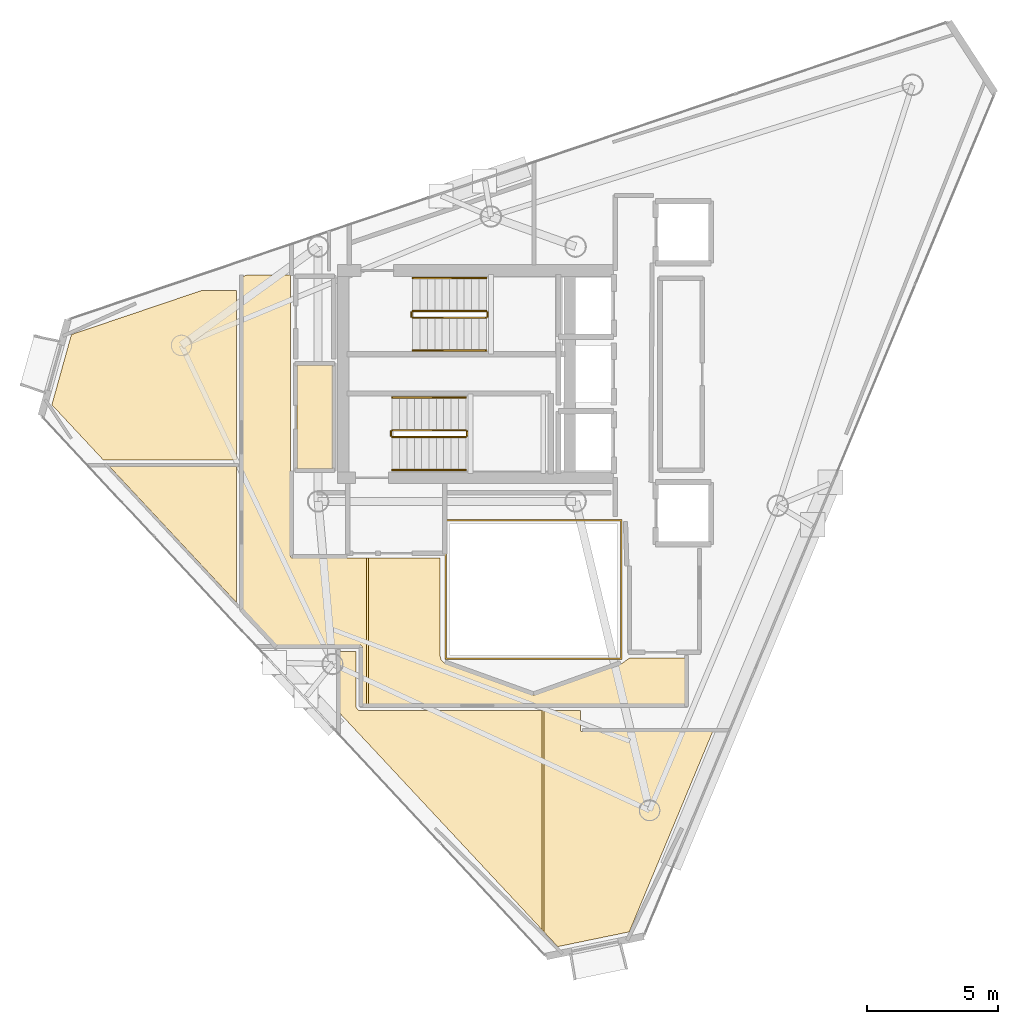
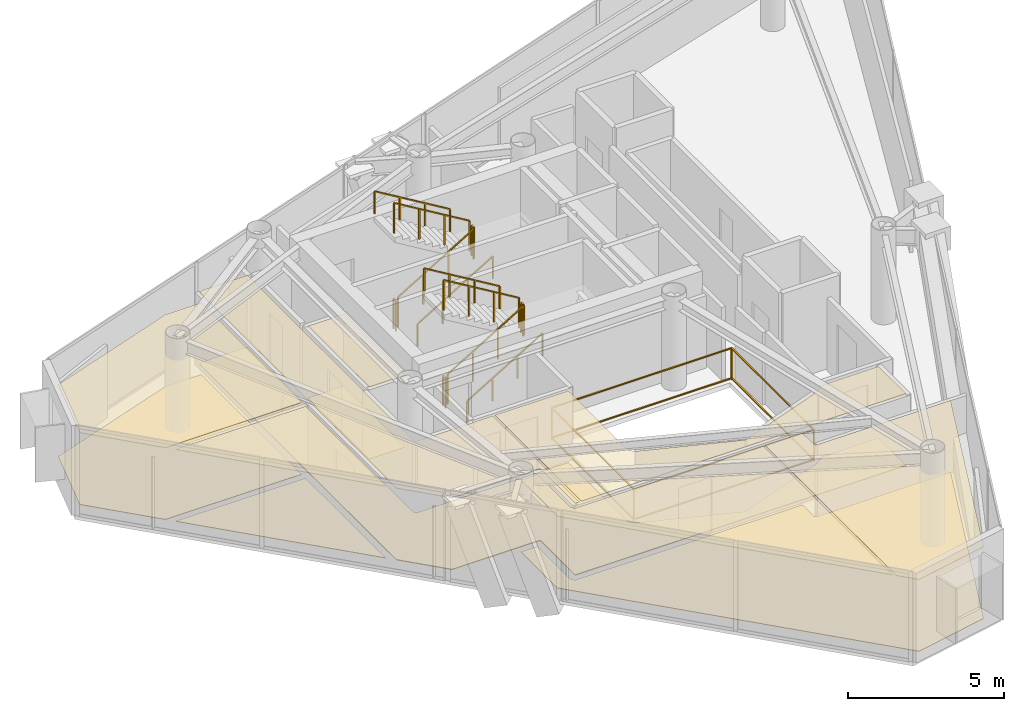
# One storey, part 19 of 19: 13 railings, 12 coverings.
"""IFC4 building model written with IfcOpenShell, lengths in metres."""

from ifc_helpers import new_model, si_unit, direction, frame, origin, origin_2d, place, context, subcontext, project, spatial, polyline, rectangle, outline, extrude, material, layer, layer_set, type_object, element, save


model = new_model("IFC4")

# Units and contexts
model_context = context("Model", 3, precision=1e-05, world=origin(), true_north=direction((0.0, 1.0)))
body_context = subcontext(model_context, "Body", "Model", "MODEL_VIEW")
ifc_project = project(units=[si_unit("LENGTHUNIT", "METRE"), si_unit("AREAUNIT", "SQUARE_METRE"), si_unit("VOLUMEUNIT", "CUBIC_METRE"), si_unit("PLANEANGLEUNIT", "RADIAN"), si_unit("MASSUNIT", "GRAM", prefix="KILO")], contexts=[model_context])

# Site, building, storey
site_placement = place(None, origin())
site = spatial("IfcSite", under=ifc_project, at=site_placement, CompositionType="ELEMENT")
building_placement = place(site_placement, origin())
building = spatial("IfcBuilding", under=site, at=building_placement, Name="Qianvela Tower", CompositionType="ELEMENT")
storey_placement = place(building_placement, frame((0.0, 0.0, 333.300048828125)))
storey = spatial("IfcBuildingStorey", under=building, at=storey_placement, Name="L86", CompositionType="ELEMENT", Elevation=333.300048828125)

# Coverings
ifc_material_1 = material(Name="Perforated Mineral Acoustic Ceiling Tile")
ifc_layer_1 = layer(ifc_material_1, 0.02490234375)
ifc_layer_set_1 = layer_set([ifc_layer_1], Name="Perforated Mineral Acoustic Ceiling Tile")
covering_type_1 = type_object("IfcCoveringType", Name="COV-CEIL-ACOUSTIC-25", PredefinedType="CEILING", material=ifc_layer_set_1)
covering_1_placement = place(storey_placement, frame((0.0, 0.0, 2.81494140625)))
element("IfcCovering", 1, at=covering_1_placement, inside=storey, type_object=covering_type_1, Name="L86 Acoustic Ceiling L86 Core Tea Pantry West", PredefinedType="CEILING", context=body_context, shape_type="SweptSolid", body=[
    extrude(outline(polyline([(27.800048828125, 25.080078125), (27.800048828125, 29.0400390625), (29.139892578125, 29.0400390625), (29.139892578125, 25.080078125), (27.800048828125, 25.080078125)])), origin(), (0.0, 0.0, 1.0), 0.02490234375),
])
covering_2_placement = place(storey_placement, frame((0.0, 0.0, 2.81494140625)))
element("IfcCovering", 2, at=covering_2_placement, inside=storey, type_object=covering_type_1, Name="L86 Acoustic Ceiling Bay 1 L86 Floor Corridor", PredefinedType="CEILING", context=body_context, shape_type="SweptSolid", body=[
    extrude(outline(polyline([(27.5400390625, 21.780029296875), (27.540283203125, 21.772216796875), (27.54150390625, 21.764404296875), (27.54345703125, 21.7568359375), (27.546142578125, 21.74951171875), (27.54931640625, 21.7421875), (27.553466796875, 21.735595703125), (27.55810546875, 21.729248046875), (27.5634765625, 21.723388671875), (27.569091796875, 21.71826171875), (27.57568359375, 21.71337890625), (27.582275390625, 21.70947265625), (27.58935546875, 21.7060546875), (27.5966796875, 21.703369140625), (27.6044921875, 21.701416015625), (27.6123046875, 21.700439453125), (27.6201171875, 21.699951171875), (30.434814453125, 21.699951171875), (30.434814453125, 16.1298828125), (30.280029296875, 16.1298828125), (30.280029296875, 18.300048828125), (30.279541015625, 18.307861328125), (30.278564453125, 18.315673828125), (30.276611328125, 18.3232421875), (30.27392578125, 18.33056640625), (30.2705078125, 18.337646484375), (30.2666015625, 18.344482421875), (30.26171875, 18.350830078125), (30.256591796875, 18.356689453125), (30.250732421875, 18.36181640625), (30.244384765625, 18.366455078125), (30.23779296875, 18.37060546875), (30.230712890625, 18.373779296875), (30.22314453125, 18.376708984375), (30.215576171875, 18.37841796875), (30.207763671875, 18.379638671875), (30.199951171875, 18.3798828125), (27.007080078125, 18.3798828125), (25.72998046875, 19.74755859375), (25.72998046875, 32.40771484375), (25.913818359375, 32.469970703125), (27.5400390625, 32.469970703125), (27.5400390625, 21.780029296875)])), origin(), (0.0, 0.0, 1.0), 0.02490234375),
])
covering_3_placement = place(storey_placement, frame((0.0, 0.0, 2.81494140625)))
element("IfcCovering", 3, at=covering_3_placement, inside=storey, type_object=covering_type_1, Name="L86 Acoustic Ceiling Bay 2 L86 Floor Corridor", PredefinedType="CEILING", context=body_context, shape_type="SweptSolid", body=[
    extrude(outline(polyline([(33.239990234375, 21.699951171875), (33.239990234375, 18.0), (33.240478515625, 17.990234375), (33.242431640625, 17.980712890625), (33.275390625, 17.8486328125), (33.277587890625, 17.841064453125), (33.28076171875, 17.833740234375), (33.284423828125, 17.826904296875), (33.288818359375, 17.8203125), (33.293701171875, 17.814208984375), (33.38525390625, 17.71337890625), (33.390625, 17.7080078125), (33.396728515625, 17.702880859375), (33.4033203125, 17.698486328125), (33.41015625, 17.69482421875), (33.417236328125, 17.69189453125), (36.77294921875, 16.482666015625), (36.780517578125, 16.48046875), (36.7880859375, 16.47900390625), (36.7958984375, 16.47802734375), (36.8037109375, 16.47802734375), (36.811767578125, 16.47900390625), (36.8193359375, 16.48046875), (36.826904296875, 16.482666015625), (40.134033203125, 17.666015625), (40.140869140625, 17.668701171875), (40.1474609375, 17.672119140625), (40.153564453125, 17.676025390625), (40.458740234375, 17.89306640625), (42.570068359375, 17.899658203125), (42.570068359375, 16.1298828125), (30.514892578125, 16.1298828125), (30.514892578125, 21.699951171875), (33.239990234375, 21.699951171875)])), origin(), (0.0, 0.0, 1.0), 0.02490234375),
])
covering_4_placement = place(storey_placement, frame((0.0, 0.0, 2.81494140625)))
element("IfcCovering", 4, at=covering_4_placement, inside=storey, type_object=covering_type_1, Name="L86 Acoustic Ceiling Quiet Reading Study L86-01", PredefinedType="CEILING", context=body_context, shape_type="SweptSolid", body=[
    extrude(outline(polyline([(20.658935546875, 25.177978515625), (25.489990234375, 25.177978515625), (25.489990234375, 20.00439453125), (20.658935546875, 25.177978515625)])), origin(), (0.0, 0.0, 1.0), 0.02490234375),
])
covering_5_placement = place(storey_placement, frame((0.0, 0.0, 2.81494140625)))
element("IfcCovering", 5, at=covering_5_placement, inside=storey, type_object=covering_type_1, Name="L86 Acoustic Ceiling Bay 1 Panoramic Study Lounge L86-02", PredefinedType="CEILING", context=body_context, shape_type="SweptSolid", body=[
    extrude(outline(polyline([(29.422119140625, 15.7939453125), (29.422119140625, 18.139892578125), (30.0400390625, 18.139892578125), (30.0400390625, 16.050048828125), (30.040283203125, 16.042724609375), (30.041259765625, 16.035400390625), (30.04296875, 16.0283203125), (30.04541015625, 16.021484375), (30.048095703125, 16.014892578125), (30.0517578125, 16.00830078125), (30.0556640625, 16.002197265625), (30.112548828125, 15.92578125), (30.117919921875, 15.91943359375), (30.123779296875, 15.91357421875), (30.130126953125, 15.908447265625), (30.13720703125, 15.904052734375), (30.14453125, 15.900146484375), (30.15234375, 15.897216796875), (30.160400390625, 15.895263671875), (30.16845703125, 15.893798828125), (30.1767578125, 15.893310546875), (37.115234375, 15.890625), (37.115234375, 7.555419921875), (29.422119140625, 15.7939453125)])), origin(), (0.0, 0.0, 1.0), 0.02490234375),
])
covering_6_placement = place(storey_placement, frame((0.0, 0.0, 2.81494140625)))
element("IfcCovering", 6, at=covering_6_placement, inside=storey, type_object=covering_type_1, Name="L86 Acoustic Ceiling Bay 2 Panoramic Study Lounge L86-02", PredefinedType="CEILING", context=body_context, shape_type="SweptSolid", body=[
    extrude(outline(polyline([(40.44287109375, 7.466796875), (37.72216796875, 6.905517578125), (37.1953125, 7.4697265625), (37.1953125, 15.890625), (38.577880859375, 15.889892578125), (38.577880859375, 15.169921875), (38.578369140625, 15.162109375), (38.57958984375, 15.154296875), (38.58154296875, 15.146484375), (38.583984375, 15.13916015625), (38.58740234375, 15.132080078125), (38.591552734375, 15.125244140625), (38.59619140625, 15.118896484375), (38.6015625, 15.11328125), (38.607421875, 15.10791015625), (38.613525390625, 15.103271484375), (38.620361328125, 15.09912109375), (38.62744140625, 15.095947265625), (38.635009765625, 15.09326171875), (38.642578125, 15.09130859375), (38.650390625, 15.090087890625), (38.658203125, 15.08984375), (43.6201171875, 15.0966796875), (40.44287109375, 7.466796875)])), origin(), (0.0, 0.0, 1.0), 0.02490234375),
])
covering_7_placement = place(storey_placement, frame((0.0, 0.0, 2.81494140625)))
element("IfcCovering", 7, at=covering_7_placement, inside=storey, type_object=covering_type_1, Name="L86 Acoustic Ceiling Commons Day Lounge L86-04", PredefinedType="CEILING", context=body_context, shape_type="SweptSolid", body=[
    extrude(outline(polyline([(24.16357421875, 31.8779296875), (25.489990234375, 31.8779296875), (25.489990234375, 25.422119140625), (20.43115234375, 25.422119140625), (18.46533203125, 27.527099609375), (19.211181640625, 30.202880859375), (24.16357421875, 31.8779296875)])), origin(), (0.0, 0.0, 1.0), 0.02490234375),
])
ifc_material_2 = material(Name="Engineered Acoustic Oak Timber Flooring", Category="wood")
ifc_layer_2 = layer(ifc_material_2, 0.02001953125)
ifc_layer_set_2 = layer_set([ifc_layer_2], Name="Engineered Acoustic Oak Timber Flooring")
covering_type_2 = type_object("IfcCoveringType", Name="COV-FLOOR-OAK-20", PredefinedType="FLOORING", material=ifc_layer_set_2)
covering_8_placement = place(storey_placement, origin())
element("IfcCovering", 8, at=covering_8_placement, inside=storey, type_object=covering_type_2, Name="L86 Finish Flooring L86 Core Tea Pantry West", PredefinedType="FLOORING", context=body_context, shape_type="SweptSolid", body=[
    extrude(outline(polyline([(27.800048828125, 25.080078125), (27.800048828125, 29.0400390625), (29.139892578125, 29.0400390625), (29.139892578125, 25.080078125), (27.800048828125, 25.080078125)])), origin(), (0.0, 0.0, 1.0), 0.02001953125),
])
covering_9_placement = place(storey_placement, origin())
element("IfcCovering", 9, at=covering_9_placement, inside=storey, type_object=covering_type_2, Name="L86 Finish Flooring Quiet Reading Study L86-01", PredefinedType="FLOORING", context=body_context, shape_type="SweptSolid", body=[
    extrude(outline(polyline([(20.658935546875, 25.177978515625), (25.489990234375, 25.177978515625), (25.489990234375, 20.00439453125), (20.658935546875, 25.177978515625)])), origin(), (0.0, 0.0, 1.0), 0.02001953125),
])
covering_10_placement = place(storey_placement, origin())
element("IfcCovering", 10, at=covering_10_placement, inside=storey, type_object=covering_type_2, Name="L86 Finish Flooring Panoramic Study Lounge L86-02", PredefinedType="FLOORING", context=body_context, shape_type="SweptSolid", body=[
    extrude(outline(polyline([(43.6201171875, 15.0966796875), (40.44287109375, 7.466796875), (37.72216796875, 6.905517578125), (29.422119140625, 15.7939453125), (29.422119140625, 18.139892578125), (30.0400390625, 18.139892578125), (30.0400390625, 16.050048828125), (30.040283203125, 16.042724609375), (30.041259765625, 16.035400390625), (30.04296875, 16.0283203125), (30.04541015625, 16.021484375), (30.048095703125, 16.014892578125), (30.0517578125, 16.00830078125), (30.0556640625, 16.002197265625), (30.112548828125, 15.92578125), (30.117919921875, 15.91943359375), (30.123779296875, 15.91357421875), (30.130126953125, 15.908447265625), (30.13720703125, 15.904052734375), (30.14453125, 15.900146484375), (30.15234375, 15.897216796875), (30.160400390625, 15.895263671875), (30.16845703125, 15.893798828125), (30.1767578125, 15.893310546875), (38.577880859375, 15.889892578125), (38.577880859375, 15.169921875), (38.578369140625, 15.162109375), (38.57958984375, 15.154296875), (38.58154296875, 15.146484375), (38.583984375, 15.13916015625), (38.58740234375, 15.132080078125), (38.591552734375, 15.125244140625), (38.59619140625, 15.118896484375), (38.6015625, 15.11328125), (38.607421875, 15.10791015625), (38.613525390625, 15.103271484375), (38.620361328125, 15.09912109375), (38.62744140625, 15.095947265625), (38.635009765625, 15.09326171875), (38.642578125, 15.09130859375), (38.650390625, 15.090087890625), (38.658203125, 15.08984375), (43.6201171875, 15.0966796875)])), origin(), (0.0, 0.0, 1.0), 0.02001953125),
])
covering_11_placement = place(storey_placement, origin())
element("IfcCovering", 11, at=covering_11_placement, inside=storey, type_object=covering_type_2, Name="L86 Finish Flooring Commons Day Lounge L86-04", PredefinedType="FLOORING", context=body_context, shape_type="SweptSolid", body=[
    extrude(outline(polyline([(24.16357421875, 31.8779296875), (25.489990234375, 31.8779296875), (25.489990234375, 25.422119140625), (20.43115234375, 25.422119140625), (18.46533203125, 27.527099609375), (19.211181640625, 30.202880859375), (24.16357421875, 31.8779296875)])), origin(), (0.0, 0.0, 1.0), 0.02001953125),
])
ifc_material_3 = material(Name="Honed Stone Terrazzo Flooring", Category="masonry")
ifc_layer_3 = layer(ifc_material_3, 0.030029296875)
ifc_layer_set_3 = layer_set([ifc_layer_3], Name="Honed Stone Terrazzo Flooring")
covering_type_3 = type_object("IfcCoveringType", Name="COV-FLOOR-TERRAZZO-30", PredefinedType="FLOORING", material=ifc_layer_set_3)
covering_12_placement = place(storey_placement, origin())
element("IfcCovering", 12, at=covering_12_placement, inside=storey, type_object=covering_type_3, Name="L86 Finish Flooring L86 Floor Corridor", PredefinedType="FLOORING", context=body_context, shape_type="SweptSolid", body=[
    extrude(outline(polyline([(27.5400390625, 32.469970703125), (27.5400390625, 21.780029296875), (27.540283203125, 21.772216796875), (27.54150390625, 21.764404296875), (27.54345703125, 21.7568359375), (27.546142578125, 21.74951171875), (27.54931640625, 21.7421875), (27.553466796875, 21.735595703125), (27.55810546875, 21.729248046875), (27.5634765625, 21.723388671875), (27.569091796875, 21.71826171875), (27.57568359375, 21.71337890625), (27.582275390625, 21.70947265625), (27.58935546875, 21.7060546875), (27.5966796875, 21.703369140625), (27.6044921875, 21.701416015625), (27.6123046875, 21.700439453125), (27.6201171875, 21.699951171875), (33.239990234375, 21.699951171875), (33.239990234375, 18.0), (33.240478515625, 17.990234375), (33.242431640625, 17.980712890625), (33.275390625, 17.8486328125), (33.277587890625, 17.841064453125), (33.28076171875, 17.833740234375), (33.284423828125, 17.826904296875), (33.288818359375, 17.8203125), (33.293701171875, 17.814208984375), (33.38525390625, 17.71337890625), (33.390625, 17.7080078125), (33.396728515625, 17.702880859375), (33.4033203125, 17.698486328125), (33.41015625, 17.69482421875), (33.417236328125, 17.69189453125), (36.77294921875, 16.482666015625), (36.780517578125, 16.48046875), (36.7880859375, 16.47900390625), (36.7958984375, 16.47802734375), (36.8037109375, 16.47802734375), (36.811767578125, 16.47900390625), (36.8193359375, 16.48046875), (36.826904296875, 16.482666015625), (40.134033203125, 17.666015625), (40.140869140625, 17.668701171875), (40.1474609375, 17.672119140625), (40.153564453125, 17.676025390625), (40.458740234375, 17.89306640625), (42.570068359375, 17.899658203125), (42.570068359375, 16.1298828125), (30.280029296875, 16.1298828125), (30.280029296875, 18.300048828125), (30.279541015625, 18.307861328125), (30.278564453125, 18.315673828125), (30.276611328125, 18.3232421875), (30.27392578125, 18.33056640625), (30.2705078125, 18.337646484375), (30.2666015625, 18.344482421875), (30.26171875, 18.350830078125), (30.256591796875, 18.356689453125), (30.250732421875, 18.36181640625), (30.244384765625, 18.366455078125), (30.23779296875, 18.37060546875), (30.230712890625, 18.373779296875), (30.22314453125, 18.376708984375), (30.215576171875, 18.37841796875), (30.207763671875, 18.379638671875), (30.199951171875, 18.3798828125), (27.007080078125, 18.3798828125), (25.72998046875, 19.74755859375), (25.72998046875, 32.40771484375), (25.913818359375, 32.469970703125), (27.5400390625, 32.469970703125)])), origin(), (0.0, 0.0, 1.0), 0.030029296875),
])

# Railings
ifc_material_4 = material(Name="Laminated Safety Glass and Stainless Steel 316", Category="steel")
railing_type_1 = type_object("IfcRailingType", Name="RL-ATRIUM-GUARD-1250", PredefinedType="GUARDRAIL", material=ifc_material_4)
railing_1_placement = place(storey_placement, frame((33.4599609375, 17.860107421875, 0.0)))
element("IfcRailing", 13, at=railing_1_placement, inside=storey, type_object=railing_type_1, Name="L86 Atrium Edge Guardrail 1", PredefinedType="GUARDRAIL", context=body_context, shape_type="SweptSolid", body=[
    extrude(rectangle(XDim=0.050048828125, YDim=0.0400390625, at=origin_2d()), frame((0.0, 0.0, 1.22998046875), z_axis=(0.0, 1.0, 0.0), x_axis=(-1.0, 0.0, 0.0)), (0.0, 0.0, 1.0), 5.27978515625),
    extrude(rectangle(XDim=0.050048828125, YDim=0.0400390625, at=origin_2d()), frame((0.0, 0.0, 0.050048828125), z_axis=(0.0, 1.0, 0.0), x_axis=(-1.0, 0.0, 0.0)), (0.0, 0.0, 1.0), 5.27978515625),
    extrude(rectangle(XDim=0.050048828125, YDim=0.0400390625, at=origin_2d()), frame((0.0, 5.27978515625, 1.22998046875), z_axis=(1.0, 0.0, 0.0), x_axis=(0.0, 1.0, 0.0)), (0.0, 0.0, 1.0), 6.679931640625),
    extrude(rectangle(XDim=0.050048828125, YDim=0.0400390625, at=origin_2d()), frame((0.0, 5.27978515625, 0.050048828125), z_axis=(1.0, 0.0, 0.0), x_axis=(0.0, 1.0, 0.0)), (0.0, 0.0, 1.0), 6.679931640625),
    extrude(rectangle(XDim=0.050048828125, YDim=0.0400390625, at=origin_2d()), frame((6.679931640625, 5.27978515625, 1.22998046875), z_axis=(0.0, -1.0, 0.0), x_axis=(1.0, 0.0, 0.0)), (0.0, 0.0, 1.0), 5.27978515625),
    extrude(rectangle(XDim=0.050048828125, YDim=0.0400390625, at=origin_2d()), frame((6.679931640625, 5.27978515625, 0.050048828125), z_axis=(0.0, -1.0, 0.0), x_axis=(1.0, 0.0, 0.0)), (0.0, 0.0, 1.0), 5.27978515625),
    extrude(rectangle(XDim=0.050048828125, YDim=0.0400390625, at=origin_2d()), frame((6.679931640625, 0.0, 1.22998046875), z_axis=(-1.0, 0.0, 0.0), x_axis=(0.0, -1.0, 0.0)), (0.0, 0.0, 1.0), 6.679931640625),
    extrude(rectangle(XDim=0.050048828125, YDim=0.0400390625, at=origin_2d()), frame((6.679931640625, 0.0, 0.050048828125), z_axis=(-1.0, 0.0, 0.0), x_axis=(0.0, -1.0, 0.0)), (0.0, 0.0, 1.0), 6.679931640625),
    extrude(rectangle(XDim=0.050048828125, YDim=0.050048828125, at=origin_2d()), origin(), (0.0, 0.0, 1.0), 1.2099609375),
    extrude(rectangle(XDim=0.050048828125, YDim=0.050048828125, at=origin_2d()), frame((0.0, 5.27978515625, 0.0)), (0.0, 0.0, 1.0), 1.2099609375),
    extrude(rectangle(XDim=0.050048828125, YDim=0.050048828125, at=origin_2d()), frame((6.679931640625, 5.27978515625, 0.0)), (0.0, 0.0, 1.0), 1.2099609375),
    extrude(rectangle(XDim=0.050048828125, YDim=0.050048828125, at=origin_2d()), frame((6.679931640625, 0.0, 0.0)), (0.0, 0.0, 1.0), 1.2099609375),
])
ifc_material_5 = material(Name="Painted Tubular Steel Q355B", Category="steel")
railing_type_2 = type_object("IfcRailingType", Name="RL-STAIR-GUARD-1200", PredefinedType="GUARDRAIL", material=ifc_material_5)
railing_2_placement = place(storey_placement, frame((32.199951171875, 30.840087890625, 0.168212890625)))
element("IfcRailing", 14, at=railing_2_placement, inside=storey, type_object=railing_type_2, Name="L86 ST-1 stair guard 1", PredefinedType="GUARDRAIL", context=body_context, shape_type="SweptSolid", body=[
    extrude(rectangle(XDim=0.050048828125, YDim=0.0400390625, at=origin_2d()), frame((0.0, 0.0, 1.179931640625), z_axis=(0.857275202839, 0.0, 0.514858452973), x_axis=(0.0, 1.0, 0.0)), (0.0, 0.0, 1.0), 3.26611328125),
    extrude(rectangle(XDim=0.050048828125, YDim=0.050048828125, at=origin_2d()), origin(), (0.0, 0.0, 1.0), 1.159912109375),
    extrude(rectangle(XDim=0.050048828125, YDim=0.050048828125, at=origin_2d()), frame((0.933349609375, 0.0, 0.560546875)), (0.0, 0.0, 1.0), 1.159912109375),
    extrude(rectangle(XDim=0.050048828125, YDim=0.050048828125, at=origin_2d()), frame((1.86669921875, 0.0, 1.12109375)), (0.0, 0.0, 1.0), 1.159912109375),
    extrude(rectangle(XDim=0.050048828125, YDim=0.050048828125, at=origin_2d()), frame((2.800048828125, 0.0, 1.681640625)), (0.0, 0.0, 1.0), 1.159912109375),
])
railing_3_placement = place(storey_placement, frame((35.050048828125, 30.889892578125, 1.849853515625)))
element("IfcRailing", 15, at=railing_3_placement, inside=storey, type_object=railing_type_2, Name="L86 ST-1 stair guard 2", PredefinedType="GUARDRAIL", context=body_context, shape_type="SweptSolid", body=[
    extrude(rectangle(XDim=0.050048828125, YDim=0.0400390625, at=origin_2d()), frame((0.0, 0.0, 1.179931640625), z_axis=(0.0, 1.0, 0.0), x_axis=(-1.0, 0.0, 0.0)), (0.0, 0.0, 1.0), 0.16015625),
    extrude(rectangle(XDim=0.050048828125, YDim=0.050048828125, at=origin_2d()), origin(), (0.0, 0.0, 1.0), 1.159912109375),
    extrude(rectangle(XDim=0.050048828125, YDim=0.050048828125, at=origin_2d()), frame((0.0, 0.16015625, 0.0)), (0.0, 0.0, 1.0), 1.159912109375),
])
railing_4_placement = place(storey_placement, frame((35.0, 31.10009765625, 2.01806640625)))
element("IfcRailing", 16, at=railing_4_placement, inside=storey, type_object=railing_type_2, Name="L86 ST-1 stair guard 3", PredefinedType="GUARDRAIL", context=body_context, shape_type="SweptSolid", body=[
    extrude(rectangle(XDim=0.050048828125, YDim=0.0400390625, at=origin_2d()), frame((0.0, 0.0, 1.179931640625), z_axis=(-0.857242210791, 0.0, 0.514913383045), x_axis=(0.0, -1.0, 0.0)), (0.0, 0.0, 1.0), 3.266357421875),
    extrude(rectangle(XDim=0.050048828125, YDim=0.050048828125, at=origin_2d()), origin(), (0.0, 0.0, 1.0), 1.159912109375),
    extrude(rectangle(XDim=0.050048828125, YDim=0.050048828125, at=origin_2d()), frame((-0.933349609375, 0.0, 0.560546875)), (0.0, 0.0, 1.0), 1.159912109375),
    extrude(rectangle(XDim=0.050048828125, YDim=0.050048828125, at=origin_2d()), frame((-1.86669921875, 0.0, 1.121337890625)), (0.0, 0.0, 1.0), 1.159912109375),
    extrude(rectangle(XDim=0.050048828125, YDim=0.050048828125, at=origin_2d()), frame((-2.800048828125, 0.0, 1.681884765625)), (0.0, 0.0, 1.0), 1.159912109375),
])
railing_5_placement = place(storey_placement, frame((32.14990234375, 30.889892578125, 0.0)))
element("IfcRailing", 17, at=railing_5_placement, inside=storey, type_object=railing_type_2, Name="L86 ST-1 stair guard 4", PredefinedType="GUARDRAIL", context=body_context, shape_type="SweptSolid", body=[
    extrude(rectangle(XDim=0.050048828125, YDim=0.0400390625, at=origin_2d()), frame((0.0, 0.0, 1.179931640625), z_axis=(0.0, 1.0, 0.0), x_axis=(-1.0, 0.0, 0.0)), (0.0, 0.0, 1.0), 0.16015625),
    extrude(rectangle(XDim=0.050048828125, YDim=0.050048828125, at=origin_2d()), origin(), (0.0, 0.0, 1.0), 1.159912109375),
    extrude(rectangle(XDim=0.050048828125, YDim=0.050048828125, at=origin_2d()), frame((0.0, 0.16015625, 0.0)), (0.0, 0.0, 1.0), 1.159912109375),
])
railing_6_placement = place(storey_placement, frame((31.419921875, 26.300048828125, 0.168212890625)))
element("IfcRailing", 18, at=railing_6_placement, inside=storey, type_object=railing_type_2, Name="L86 ST-2 stair guard 1", PredefinedType="GUARDRAIL", context=body_context, shape_type="SweptSolid", body=[
    extrude(rectangle(XDim=0.050048828125, YDim=0.0400390625, at=origin_2d()), frame((0.0, 0.0, 1.179931640625), z_axis=(0.857275202839, 0.0, 0.514858452973), x_axis=(0.0, 1.0, 0.0)), (0.0, 0.0, 1.0), 3.26611328125),
    extrude(rectangle(XDim=0.050048828125, YDim=0.050048828125, at=origin_2d()), origin(), (0.0, 0.0, 1.0), 1.159912109375),
    extrude(rectangle(XDim=0.050048828125, YDim=0.050048828125, at=origin_2d()), frame((0.933349609375, 0.0, 0.560546875)), (0.0, 0.0, 1.0), 1.159912109375),
    extrude(rectangle(XDim=0.050048828125, YDim=0.050048828125, at=origin_2d()), frame((1.86669921875, 0.0, 1.12109375)), (0.0, 0.0, 1.0), 1.159912109375),
    extrude(rectangle(XDim=0.050048828125, YDim=0.050048828125, at=origin_2d()), frame((2.800048828125, 0.0, 1.681640625)), (0.0, 0.0, 1.0), 1.159912109375),
])
railing_7_placement = place(storey_placement, frame((34.27001953125, 26.35009765625, 1.849853515625)))
element("IfcRailing", 19, at=railing_7_placement, inside=storey, type_object=railing_type_2, Name="L86 ST-2 stair guard 2", PredefinedType="GUARDRAIL", context=body_context, shape_type="SweptSolid", body=[
    extrude(rectangle(XDim=0.050048828125, YDim=0.0400390625, at=origin_2d()), frame((0.0, 0.0, 1.179931640625), z_axis=(0.0, 1.0, 0.0), x_axis=(-1.0, 0.0, 0.0)), (0.0, 0.0, 1.0), 0.159912109375),
    extrude(rectangle(XDim=0.050048828125, YDim=0.050048828125, at=origin_2d()), origin(), (0.0, 0.0, 1.0), 1.159912109375),
    extrude(rectangle(XDim=0.050048828125, YDim=0.050048828125, at=origin_2d()), frame((0.0, 0.159912109375, 0.0)), (0.0, 0.0, 1.0), 1.159912109375),
])
railing_8_placement = place(storey_placement, frame((34.219970703125, 26.56005859375, 2.01806640625)))
element("IfcRailing", 20, at=railing_8_placement, inside=storey, type_object=railing_type_2, Name="L86 ST-2 stair guard 3", PredefinedType="GUARDRAIL", context=body_context, shape_type="SweptSolid", body=[
    extrude(rectangle(XDim=0.050048828125, YDim=0.0400390625, at=origin_2d()), frame((0.0, 0.0, 1.179931640625), z_axis=(-0.857242210791, 0.0, 0.514913383045), x_axis=(0.0, -1.0, 0.0)), (0.0, 0.0, 1.0), 3.266357421875),
    extrude(rectangle(XDim=0.050048828125, YDim=0.050048828125, at=origin_2d()), origin(), (0.0, 0.0, 1.0), 1.159912109375),
    extrude(rectangle(XDim=0.050048828125, YDim=0.050048828125, at=origin_2d()), frame((-0.933349609375, 0.0, 0.560546875)), (0.0, 0.0, 1.0), 1.159912109375),
    extrude(rectangle(XDim=0.050048828125, YDim=0.050048828125, at=origin_2d()), frame((-1.86669921875, 0.0, 1.121337890625)), (0.0, 0.0, 1.0), 1.159912109375),
    extrude(rectangle(XDim=0.050048828125, YDim=0.050048828125, at=origin_2d()), frame((-2.800048828125, 0.0, 1.681884765625)), (0.0, 0.0, 1.0), 1.159912109375),
])
railing_9_placement = place(storey_placement, frame((31.3701171875, 26.35009765625, 0.0)))
element("IfcRailing", 21, at=railing_9_placement, inside=storey, type_object=railing_type_2, Name="L86 ST-2 stair guard 4", PredefinedType="GUARDRAIL", context=body_context, shape_type="SweptSolid", body=[
    extrude(rectangle(XDim=0.050048828125, YDim=0.0400390625, at=origin_2d()), frame((0.0, 0.0, 1.179931640625), z_axis=(0.0, 1.0, 0.0), x_axis=(-1.0, 0.0, 0.0)), (0.0, 0.0, 1.0), 0.159912109375),
    extrude(rectangle(XDim=0.050048828125, YDim=0.050048828125, at=origin_2d()), origin(), (0.0, 0.0, 1.0), 1.159912109375),
    extrude(rectangle(XDim=0.050048828125, YDim=0.050048828125, at=origin_2d()), frame((0.0, 0.159912109375, 0.0)), (0.0, 0.0, 1.0), 1.159912109375),
])
ifc_material_6 = material(Name="Brushed Stainless Steel 304", Category="steel")
railing_type_3 = type_object("IfcRailingType", Name="RL-STAIR-HANDRAIL-900", PredefinedType="HANDRAIL", material=ifc_material_6)
railing_10_placement = place(storey_placement, frame((32.199951171875, 29.590087890625, 0.168212890625)))
element("IfcRailing", 22, at=railing_10_placement, inside=storey, type_object=railing_type_3, Name="L86 ST-1 stair handrail 1", PredefinedType="HANDRAIL", context=body_context, shape_type="SweptSolid", body=[
    extrude(rectangle(XDim=0.050048828125, YDim=0.0400390625, at=origin_2d()), frame((0.0, 0.0, 0.8798828125), z_axis=(0.857275202839, 0.0, 0.514858452973), x_axis=(0.0, 1.0, 0.0)), (0.0, 0.0, 1.0), 3.26611328125),
    extrude(rectangle(XDim=0.050048828125, YDim=0.050048828125, at=origin_2d()), origin(), (0.0, 0.0, 1.0), 0.85986328125),
    extrude(rectangle(XDim=0.050048828125, YDim=0.050048828125, at=origin_2d()), frame((0.933349609375, 0.0, 0.560546875)), (0.0, 0.0, 1.0), 0.85986328125),
    extrude(rectangle(XDim=0.050048828125, YDim=0.050048828125, at=origin_2d()), frame((1.86669921875, 0.0, 1.12109375)), (0.0, 0.0, 1.0), 0.85986328125),
    extrude(rectangle(XDim=0.050048828125, YDim=0.050048828125, at=origin_2d()), frame((2.800048828125, 0.0, 1.681640625)), (0.0, 0.0, 1.0), 0.85986328125),
])
railing_11_placement = place(storey_placement, frame((35.0, 32.35009765625, 2.01806640625)))
element("IfcRailing", 23, at=railing_11_placement, inside=storey, type_object=railing_type_3, Name="L86 ST-1 stair handrail 2", PredefinedType="HANDRAIL", context=body_context, shape_type="SweptSolid", body=[
    extrude(rectangle(XDim=0.050048828125, YDim=0.0400390625, at=origin_2d()), frame((0.0, 0.0, 0.8798828125), z_axis=(-0.857242210791, 0.0, 0.514913383045), x_axis=(0.0, -1.0, 0.0)), (0.0, 0.0, 1.0), 3.266357421875),
    extrude(rectangle(XDim=0.050048828125, YDim=0.050048828125, at=origin_2d()), origin(), (0.0, 0.0, 1.0), 0.85986328125),
    extrude(rectangle(XDim=0.050048828125, YDim=0.050048828125, at=origin_2d()), frame((-0.933349609375, 0.0, 0.560546875)), (0.0, 0.0, 1.0), 0.85986328125),
    extrude(rectangle(XDim=0.050048828125, YDim=0.050048828125, at=origin_2d()), frame((-1.86669921875, 0.0, 1.121337890625)), (0.0, 0.0, 1.0), 0.85986328125),
    extrude(rectangle(XDim=0.050048828125, YDim=0.050048828125, at=origin_2d()), frame((-2.800048828125, 0.0, 1.681884765625)), (0.0, 0.0, 1.0), 0.85986328125),
])
railing_12_placement = place(storey_placement, frame((31.419921875, 25.050048828125, 0.168212890625)))
element("IfcRailing", 24, at=railing_12_placement, inside=storey, type_object=railing_type_3, Name="L86 ST-2 stair handrail 1", PredefinedType="HANDRAIL", context=body_context, shape_type="SweptSolid", body=[
    extrude(rectangle(XDim=0.050048828125, YDim=0.0400390625, at=origin_2d()), frame((0.0, 0.0, 0.8798828125), z_axis=(0.857275202839, 0.0, 0.514858452973), x_axis=(0.0, 1.0, 0.0)), (0.0, 0.0, 1.0), 3.26611328125),
    extrude(rectangle(XDim=0.050048828125, YDim=0.050048828125, at=origin_2d()), origin(), (0.0, 0.0, 1.0), 0.85986328125),
    extrude(rectangle(XDim=0.050048828125, YDim=0.050048828125, at=origin_2d()), frame((0.933349609375, 0.0, 0.560546875)), (0.0, 0.0, 1.0), 0.85986328125),
    extrude(rectangle(XDim=0.050048828125, YDim=0.050048828125, at=origin_2d()), frame((1.86669921875, 0.0, 1.12109375)), (0.0, 0.0, 1.0), 0.85986328125),
    extrude(rectangle(XDim=0.050048828125, YDim=0.050048828125, at=origin_2d()), frame((2.800048828125, 0.0, 1.681640625)), (0.0, 0.0, 1.0), 0.85986328125),
])
railing_13_placement = place(storey_placement, frame((34.219970703125, 27.81005859375, 2.01806640625)))
element("IfcRailing", 25, at=railing_13_placement, inside=storey, type_object=railing_type_3, Name="L86 ST-2 stair handrail 2", PredefinedType="HANDRAIL", context=body_context, shape_type="SweptSolid", body=[
    extrude(rectangle(XDim=0.050048828125, YDim=0.0400390625, at=origin_2d()), frame((0.0, 0.0, 0.8798828125), z_axis=(-0.857242210791, 0.0, 0.514913383045), x_axis=(0.0, -1.0, 0.0)), (0.0, 0.0, 1.0), 3.266357421875),
    extrude(rectangle(XDim=0.050048828125, YDim=0.050048828125, at=origin_2d()), origin(), (0.0, 0.0, 1.0), 0.85986328125),
    extrude(rectangle(XDim=0.050048828125, YDim=0.050048828125, at=origin_2d()), frame((-0.933349609375, 0.0, 0.560546875)), (0.0, 0.0, 1.0), 0.85986328125),
    extrude(rectangle(XDim=0.050048828125, YDim=0.050048828125, at=origin_2d()), frame((-1.86669921875, 0.0, 1.121337890625)), (0.0, 0.0, 1.0), 0.85986328125),
    extrude(rectangle(XDim=0.050048828125, YDim=0.050048828125, at=origin_2d()), frame((-2.800048828125, 0.0, 1.681884765625)), (0.0, 0.0, 1.0), 0.85986328125),
])

save(model, "model.ifc")
